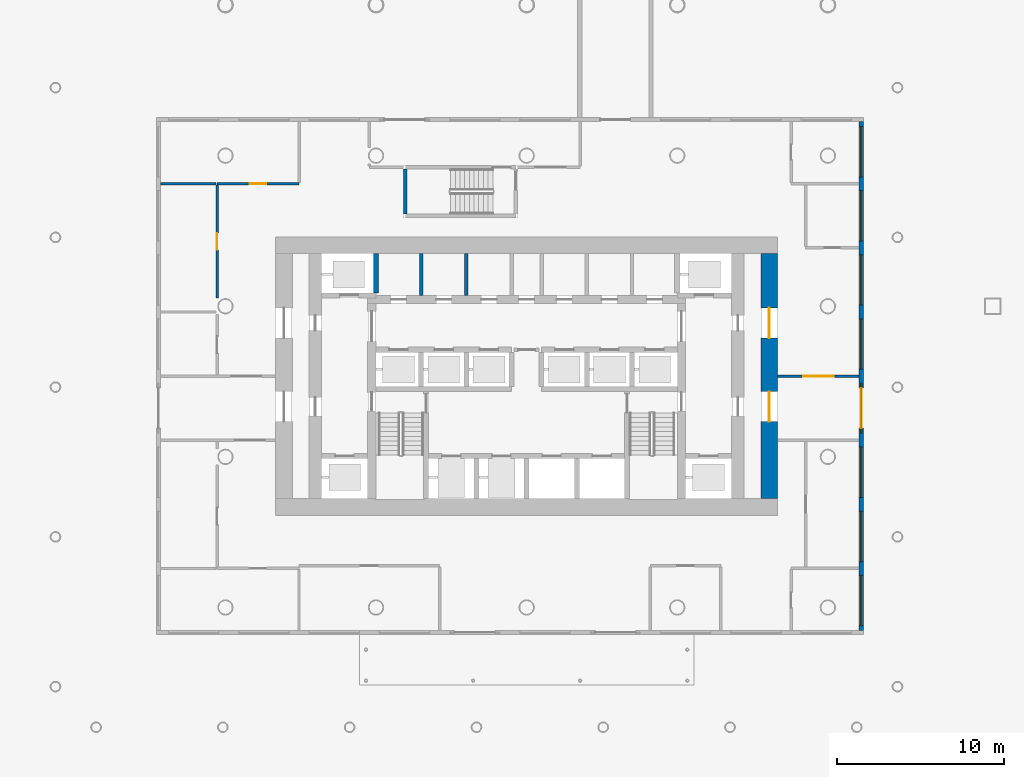
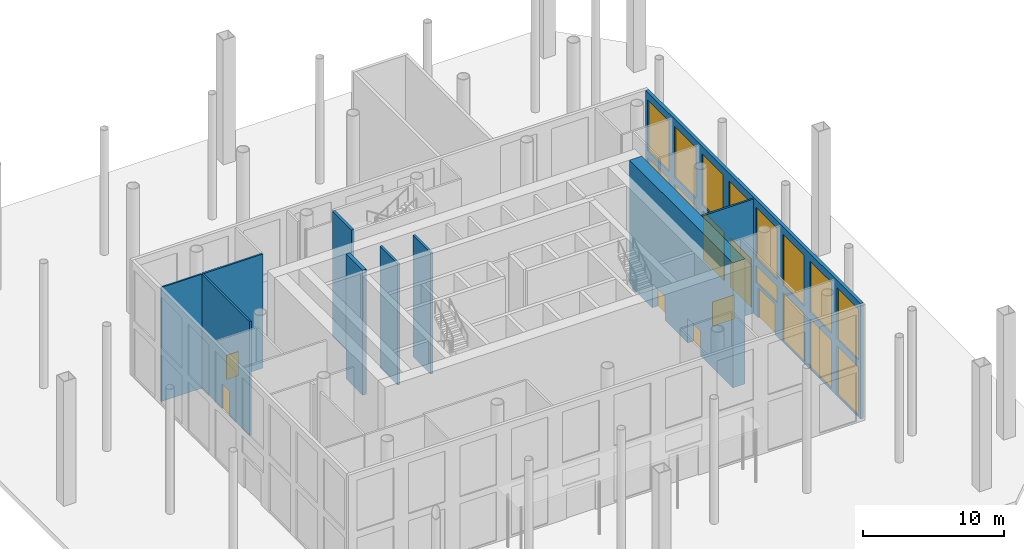
# One storey, part 12 of 18: 16 windows, 10 walls, 6 doors, 22 openings.
"""IFC4 building model written with IfcOpenShell, lengths in metres."""

import ifcopenshell
import ifcopenshell.guid

model = None  # the IFC model being written
_history = None  # IfcOwnerHistory: only IFC2X3 demands one
_inside = {}  # id of a spatial element -> (the spatial element, [elements in it])
_under = {}  # id of a project, library or spatial element -> (it, [spatial elements below it])
_declared = {}  # id of a project -> (the project, [libraries it declares])
_typed = {}  # id of a type object -> (the type object, [elements of that type])
_made_of = {}  # id of a material, layer set ... -> (it, [elements and type objects made of it])


def new_model(schema):
    """Start an empty IFC model of exactly this schema.

    Asked for "IFC4X3", IfcOpenShell would pick the latest addendum, in which some entities
    have other attributes; the version numbers below select the first issue.
    IFC2X3 requires an IfcOwnerHistory on every rooted entity: one is made here for all.
    """
    global model, _history
    if schema == "IFC4X3":
        model = ifcopenshell.file(schema_version=(4, 3, 0, 0))
    else:
        model = ifcopenshell.file(schema=schema)
    _inside.clear()
    _under.clear()
    _declared.clear()
    _typed.clear()
    _made_of.clear()
    _history = None
    if model.schema == "IFC2X3":
        org = make("IfcOrganization", Name="unknown")
        user = make(
            "IfcPersonAndOrganization",
            ThePerson=make("IfcPerson", FamilyName="unknown"),
            TheOrganization=org,
        )
        app = make(
            "IfcApplication",
            ApplicationDeveloper=org,
            Version="unknown",
            ApplicationFullName="unknown",
            ApplicationIdentifier="unknown",
        )
        _history = make(
            "IfcOwnerHistory",
            OwningUser=user,
            OwningApplication=app,
            ChangeAction="ADDED",
            CreationDate=0,
        )
    return model


def make(cls, **values):
    """One entity of the class cls with the attributes given. An attribute that is None is left unset."""
    return model.create_entity(
        cls, **{name: value for name, value in values.items() if value is not None}
    )


def rooted(cls, **values):
    """An entity with a GlobalId (a new one), such as an element, a storey or a relation."""
    return make(cls, GlobalId=ifcopenshell.guid.new(), OwnerHistory=_history, **values)


def si_unit(unit_type, name, prefix=None):
    """IfcSIUnit, for example si_unit("LENGTHUNIT", "METRE", prefix="MILLI")."""
    return make("IfcSIUnit", UnitType=unit_type, Prefix=prefix, Name=name)


def assignment(units):
    """IfcUnitAssignment: the units of a project."""
    return None if units is None else make("IfcUnitAssignment", Units=units)


def point(xyz):
    """IfcCartesianPoint."""
    return None if xyz is None else make("IfcCartesianPoint", Coordinates=xyz)


def direction(xyz):
    """IfcDirection."""
    return None if xyz is None else make("IfcDirection", DirectionRatios=xyz)


def frame(location, z_axis=None, x_axis=None):
    """IfcAxis2Placement3D, a coordinate frame: its origin and axes. An axis left out is left unset."""
    return make(
        "IfcAxis2Placement3D",
        Location=point(location),
        Axis=direction(z_axis),
        RefDirection=direction(x_axis),
    )


def frame_2d(location, x_axis=None):
    """IfcAxis2Placement2D, a coordinate frame in the plane: its origin and x axis."""
    return make(
        "IfcAxis2Placement2D", Location=point(location), RefDirection=direction(x_axis)
    )


def origin():
    """The frame at (0, 0, 0) with its axes left unset."""
    return frame((0.0, 0.0, 0.0))


def place(relative_to, where):
    """IfcLocalPlacement: puts the frame where relative to a parent placement (None: the world)."""
    return make(
        "IfcLocalPlacement", PlacementRelTo=relative_to, RelativePlacement=where
    )


def context(
    kind, dimensions, precision=None, world=None, true_north=None, identifier=None
):
    """IfcGeometricRepresentationContext, for example the 3D "Model" context."""
    return make(
        "IfcGeometricRepresentationContext",
        ContextIdentifier=identifier,
        ContextType=kind,
        CoordinateSpaceDimension=dimensions,
        Precision=precision,
        WorldCoordinateSystem=world,
        TrueNorth=true_north,
    )


def subcontext(parent, identifier, kind, view, scale=None):
    """IfcGeometricRepresentationSubContext, for example "Body" below "Model"."""
    return make(
        "IfcGeometricRepresentationSubContext",
        ContextIdentifier=identifier,
        ContextType=kind,
        ParentContext=parent,
        TargetScale=scale,
        TargetView=view,
    )


def project(units=None, contexts=None):
    """IfcProject with its units and contexts."""
    return rooted(
        "IfcProject",
        Name="project",
        RepresentationContexts=contexts,
        UnitsInContext=assignment(units),
    )


def spatial(cls, under=None, at=None, **own):
    """A site, building, storey or space (cls), placed at a placement, below another one or the project."""
    s = rooted(cls, ObjectPlacement=at, **own)
    if under is not None:
        _under.setdefault(under.id(), (under, []))[1].append(s)
    return s


def profile(cls, at=None, kind="AREA", **sizes):
    """A parametric profile (cls). Its sizes go by their IFC names, for example OverallWidth=200.0."""
    return make(cls, ProfileType=kind, Position=at, **sizes)


def rectangle(**sizes):
    """IfcRectangleProfileDef."""
    return profile("IfcRectangleProfileDef", **sizes)


def extrude(swept, where, along, depth):
    """IfcExtrudedAreaSolid: the profile swept, set in the frame where, extruded along a direction by depth."""
    return make(
        "IfcExtrudedAreaSolid",
        SweptArea=swept,
        Position=where,
        ExtrudedDirection=direction(along),
        Depth=depth,
    )


def shape(context_of_items, identifier, shape_type, items):
    """IfcShapeRepresentation: the items that make up one representation, for example the "Body"."""
    return make(
        "IfcShapeRepresentation",
        ContextOfItems=context_of_items,
        RepresentationIdentifier=identifier,
        RepresentationType=shape_type,
        Items=items,
    )


def material(Name=None, Category=None):
    """IfcMaterial."""
    return make("IfcMaterial", Name=Name, Category=Category)


def layer(
    of_material, thickness, ventilated=None, Name=None, Category=None, Priority=None
):
    """IfcMaterialLayer: one layer of a wall or slab, of a material (None: an air gap)."""
    return make(
        "IfcMaterialLayer",
        Material=of_material,
        LayerThickness=thickness,
        IsVentilated=ventilated,
        Name=Name,
        Category=Category,
        Priority=Priority,
    )


def layer_set(layers, Name=None):
    """IfcMaterialLayerSet."""
    return make("IfcMaterialLayerSet", MaterialLayers=layers, LayerSetName=Name)


def made_of(thing, what):
    """Note that an element or type object is made of a material, layer set ...; save() writes the relation."""
    if what is not None:
        _made_of.setdefault(what.id(), (what, []))[1].append(thing)
    return thing


def type_object(cls, material=None, **own):
    """A type object (cls), such as IfcWallType, which elements share."""
    return made_of(rooted(cls, **own), material)


def element(
    cls,
    number,
    at=None,
    inside=None,
    cuts=None,
    type_object=None,
    material=None,
    context=None,
    identifier="Body",
    shape_type=None,
    held_by="IfcProductDefinitionShape",
    body=None,
    shapes=None,
    **own,
):
    """One element of the class cls, such as IfcWall. Its Tag is "e" and its number.

    at: its placement. inside: the storey or other place that contains it. cuts: it is an
    opening in that element (IfcRelVoidsElement). A single representation is given by context,
    identifier, shape_type and body (its items); several are given by shapes. held_by: the class
    of the entity that holds the representations. save() writes the other relations.
    """
    e = rooted(cls, Tag="e%d" % number, ObjectPlacement=at, **own)
    if body is not None:
        shapes = [shape(context, identifier, shape_type, body)]
    if shapes is not None:
        e.Representation = make(held_by, Representations=shapes)
    if inside is not None:
        _inside.setdefault(inside.id(), (inside, []))[1].append(e)
    if cuts is not None:
        rooted(
            "IfcRelVoidsElement", RelatingBuildingElement=cuts, RelatedOpeningElement=e
        )
    if type_object is not None:
        _typed.setdefault(type_object.id(), (type_object, []))[1].append(e)
    return made_of(e, material)


def fill(opening, filler):
    """IfcRelFillsElement: the door or window that sits in an opening."""
    return rooted(
        "IfcRelFillsElement",
        RelatingOpeningElement=opening,
        RelatedBuildingElement=filler,
    )


def aggregate(whole, parts):
    """IfcRelAggregates: a whole, such as a stair, and the parts it consists of."""
    return rooted("IfcRelAggregates", RelatingObject=whole, RelatedObjects=parts)


def save(model, path):
    """Write the relations noted so far, then the file.

    IfcRelAggregates (storeys below a building ...), IfcRelContainedInSpatialStructure (elements
    in a storey), IfcRelDefinesByType, IfcRelAssociatesMaterial and IfcRelDeclares: one each for
    every whole, place, type object, material and project.
    """
    for whole, parts in _under.values():
        aggregate(whole, parts)
    for where, things in _inside.values():
        rooted(
            "IfcRelContainedInSpatialStructure",
            RelatedElements=things,
            RelatingStructure=where,
        )
    for kind, things in _typed.values():
        rooted("IfcRelDefinesByType", RelatedObjects=things, RelatingType=kind)
    for what, things in _made_of.values():
        rooted("IfcRelAssociatesMaterial", RelatedObjects=things, RelatingMaterial=what)
    for by, libraries in _declared.values():
        rooted("IfcRelDeclares", RelatingContext=by, RelatedDefinitions=libraries)
    model.write(path)


model = new_model("IFC4")

# Units and contexts
model_context = context("Model", 3, precision=1e-05, world=origin(), true_north=direction((0.0, 1.0)))
body_context = subcontext(model_context, "Body", "Model", "MODEL_VIEW")
ifc_project = project(units=[si_unit("LENGTHUNIT", "METRE"), si_unit("AREAUNIT", "SQUARE_METRE"), si_unit("VOLUMEUNIT", "CUBIC_METRE"), si_unit("PLANEANGLEUNIT", "RADIAN"), si_unit("MASSUNIT", "GRAM", prefix="KILO")], contexts=[model_context])

# Site, building, storey
site_placement = place(None, origin())
site = spatial("IfcSite", under=ifc_project, at=site_placement, CompositionType="ELEMENT")
building_placement = place(site_placement, origin())
building = spatial("IfcBuilding", under=site, at=building_placement, Name="Tskaro Facet Tower", CompositionType="ELEMENT")
storey_placement = place(building_placement, origin())
storey = spatial("IfcBuildingStorey", under=building, at=storey_placement, Name="L00", CompositionType="ELEMENT", Elevation=0.0)

# Walls
ifc_material_1 = material(Name="Concrete C60/75", Category="concrete")
ifc_layer_1 = layer(ifc_material_1, 0.300048828125, Name="Concrete C60/75")
ifc_layer_set_1 = layer_set([ifc_layer_1], Name="Concrete C60/75")
wall_type_1 = type_object("IfcWallType", Name="CORE-SHAFT", PredefinedType="SHEAR", material=ifc_layer_set_1)
wall_1_placement = place(storey_placement, frame((-9.0, 0.800048828125, 0.0), z_axis=(0.0, 0.0, 1.0), x_axis=(0.0, 1.0, 0.0)))
element("IfcWall", 1, at=wall_1_placement, inside=storey, type_object=wall_type_1, Name="Shaft wall W037", PredefinedType="SHEAR", context=body_context, shape_type="SweptSolid", body=[
    extrude(rectangle(XDim=2.349853515625, YDim=0.300048828125, at=frame_2d((1.1748046875, 0.0))), origin(), (0.0, 0.0, 1.0), 10.800048828125),
])
ifc_material_2 = material(Name="Concrete C20/25", Category="concrete")
ifc_layer_2 = layer(ifc_material_2, 0.199951171875, Name="Concrete C20/25")
ifc_layer_set_2 = layer_set([ifc_layer_2], Name="Concrete C20/25")
wall_type_2 = type_object("IfcWallType", Name="CORE-WALL", PredefinedType="SOLIDWALL", material=ifc_layer_set_2)
for number, where, z_axis, x_axis, name in (
    (2, (-6.300048828125, 0.64990234375, 0.0), (0.0, 0.0, 1.0), (0.0, 1.0, 0.0), "Core room wall W040"),
    (3, (-3.60009765625, 0.64990234375, 0.0), (0.0, 0.0, 1.0), (0.0, 1.0, 0.0), "Core room wall W044"),
):
    element("IfcWall", number, at=place(storey_placement, frame(where, z_axis=z_axis, x_axis=x_axis)), inside=storey, type_object=wall_type_2, Name=name, PredefinedType="SOLIDWALL", context=body_context, shape_type="SweptSolid", body=[
        extrude(rectangle(XDim=2.5, YDim=0.199951171875, at=frame_2d((1.25, 0.0))), origin(), (0.0, 0.0, 1.0), 10.5),
    ])

# Wall, openings, windows, door
ifc_material_3 = material(Name="Bronze anodised aluminium cladding 5005-H34", Category="aluminium")
ifc_layer_3 = layer(ifc_material_3, 0.25, Name="Bronze anodised aluminium cladding 5005-H34")
ifc_layer_set_3 = layer_set([ifc_layer_3], Name="Bronze anodised aluminium cladding 5005-H34")
wall_type_3 = type_object("IfcWallType", Name="Concourse frame wall", PredefinedType="STANDARD", material=ifc_layer_set_3)
wall_2_placement = place(storey_placement, frame((20.0, -19.375, 0.0), z_axis=(0.0, 0.0, 1.0), x_axis=(0.0, 1.0, 0.0)))
wall_2 = element("IfcWall", 4, at=wall_2_placement, inside=storey, type_object=wall_type_3, Name="Concourse wall east", PredefinedType="STANDARD", context=body_context, shape_type="SweptSolid", body=[
    extrude(rectangle(XDim=30.39990234375, YDim=0.25, at=frame_2d((15.199951171875, 0.0))), origin(), (0.0, 0.0, 1.0), 10.0),
])
opening_1_placement = place(wall_2_placement, frame((0.29052734375, 0.0, 0.14990234375)))
opening_1 = element("IfcOpeningElement", 5, at=opening_1_placement, cuts=wall_2, Name="Opening GW1", PredefinedType="OPENING", context=body_context, shape_type="SweptSolid", body=[
    extrude(rectangle(XDim=3.0, YDim=4.199951171875, at=frame_2d((1.5, 2.10009765625))), frame((0.0, 0.135009765625, 0.0), z_axis=(0.0, -1.0, 0.0), x_axis=(1.0, 0.0, 0.0)), (0.0, 0.0, 1.0), 0.27001953125),
])
opening_2_placement = place(wall_2_placement, frame((0.29052734375, 0.0, 4.949951171875)))
opening_2 = element("IfcOpeningElement", 6, at=opening_2_placement, cuts=wall_2, Name="Opening GW2", PredefinedType="OPENING", context=body_context, shape_type="SweptSolid", body=[
    extrude(rectangle(XDim=3.0, YDim=4.39990234375, at=frame_2d((1.5, 2.199951171875))), frame((0.0, 0.135009765625, 0.0), z_axis=(0.0, -1.0, 0.0), x_axis=(1.0, 0.0, 0.0)), (0.0, 0.0, 1.0), 0.27001953125),
])
opening_3_placement = place(wall_2_placement, frame((4.121826171875, 0.0, 0.14990234375)))
opening_3 = element("IfcOpeningElement", 7, at=opening_3_placement, cuts=wall_2, Name="Opening GW1", PredefinedType="OPENING", context=body_context, shape_type="SweptSolid", body=[
    extrude(rectangle(XDim=3.0, YDim=4.199951171875, at=frame_2d((1.5, 2.10009765625))), frame((0.0, 0.135009765625, 0.0), z_axis=(0.0, -1.0, 0.0), x_axis=(1.0, 0.0, 0.0)), (0.0, 0.0, 1.0), 0.27001953125),
])
opening_4_placement = place(wall_2_placement, frame((4.121826171875, 0.0, 4.949951171875)))
opening_4 = element("IfcOpeningElement", 8, at=opening_4_placement, cuts=wall_2, Name="Opening GW2", PredefinedType="OPENING", context=body_context, shape_type="SweptSolid", body=[
    extrude(rectangle(XDim=3.0, YDim=4.39990234375, at=frame_2d((1.5, 2.199951171875))), frame((0.0, 0.135009765625, 0.0), z_axis=(0.0, -1.0, 0.0), x_axis=(1.0, 0.0, 0.0)), (0.0, 0.0, 1.0), 0.27001953125),
])
opening_5_placement = place(wall_2_placement, frame((7.953125, 0.0, 0.14990234375)))
opening_5 = element("IfcOpeningElement", 9, at=opening_5_placement, cuts=wall_2, Name="Opening GW1", PredefinedType="OPENING", context=body_context, shape_type="SweptSolid", body=[
    extrude(rectangle(XDim=3.0, YDim=4.199951171875, at=frame_2d((1.5, 2.10009765625))), frame((0.0, 0.135009765625, 0.0), z_axis=(0.0, -1.0, 0.0), x_axis=(1.0, 0.0, 0.0)), (0.0, 0.0, 1.0), 0.27001953125),
])
opening_6_placement = place(wall_2_placement, frame((7.953125, 0.0, 4.949951171875)))
opening_6 = element("IfcOpeningElement", 10, at=opening_6_placement, cuts=wall_2, Name="Opening GW2", PredefinedType="OPENING", context=body_context, shape_type="SweptSolid", body=[
    extrude(rectangle(XDim=3.0, YDim=4.39990234375, at=frame_2d((1.5, 2.199951171875))), frame((0.0, 0.135009765625, 0.0), z_axis=(0.0, -1.0, 0.0), x_axis=(1.0, 0.0, 0.0)), (0.0, 0.0, 1.0), 0.27001953125),
])
opening_7_placement = place(wall_2_placement, frame((12.08447265625, 0.0, 0.0)))
opening_7 = element("IfcOpeningElement", 11, at=opening_7_placement, cuts=wall_2, Name="Opening E03", PredefinedType="OPENING", context=body_context, shape_type="SweptSolid", body=[
    extrude(rectangle(XDim=2.39990234375, YDim=2.60009765625, at=frame_2d((1.199951171875, 1.300048828125))), frame((0.0, 0.135009765625, 0.0), z_axis=(0.0, -1.0, 0.0), x_axis=(1.0, 0.0, 0.0)), (0.0, 0.0, 1.0), 0.27001953125),
])
opening_8_placement = place(wall_2_placement, frame((11.784423828125, 0.0, 2.89990234375)))
opening_8 = element("IfcOpeningElement", 12, at=opening_8_placement, cuts=wall_2, Name="Opening GW3", PredefinedType="OPENING", context=body_context, shape_type="SweptSolid", body=[
    extrude(rectangle(XDim=3.0, YDim=1.449951171875, at=frame_2d((1.5, 0.72509765625))), frame((0.0, 0.135009765625, 0.0), z_axis=(0.0, -1.0, 0.0), x_axis=(1.0, 0.0, 0.0)), (0.0, 0.0, 1.0), 0.27001953125),
])
opening_9_placement = place(wall_2_placement, frame((11.784423828125, 0.0, 4.949951171875)))
opening_9 = element("IfcOpeningElement", 13, at=opening_9_placement, cuts=wall_2, Name="Opening GW2", PredefinedType="OPENING", context=body_context, shape_type="SweptSolid", body=[
    extrude(rectangle(XDim=3.0, YDim=4.39990234375, at=frame_2d((1.5, 2.199951171875))), frame((0.0, 0.135009765625, 0.0), z_axis=(0.0, -1.0, 0.0), x_axis=(1.0, 0.0, 0.0)), (0.0, 0.0, 1.0), 0.27001953125),
])
opening_10_placement = place(wall_2_placement, frame((15.61572265625, 0.0, 0.14990234375)))
opening_10 = element("IfcOpeningElement", 14, at=opening_10_placement, cuts=wall_2, Name="Opening GW1", PredefinedType="OPENING", context=body_context, shape_type="SweptSolid", body=[
    extrude(rectangle(XDim=3.0, YDim=4.199951171875, at=frame_2d((1.5, 2.10009765625))), frame((0.0, 0.135009765625, 0.0), z_axis=(0.0, -1.0, 0.0), x_axis=(1.0, 0.0, 0.0)), (0.0, 0.0, 1.0), 0.27001953125),
])
opening_11_placement = place(wall_2_placement, frame((15.61572265625, 0.0, 4.949951171875)))
opening_11 = element("IfcOpeningElement", 15, at=opening_11_placement, cuts=wall_2, Name="Opening GW2", PredefinedType="OPENING", context=body_context, shape_type="SweptSolid", body=[
    extrude(rectangle(XDim=3.0, YDim=4.39990234375, at=frame_2d((1.5, 2.199951171875))), frame((0.0, 0.135009765625, 0.0), z_axis=(0.0, -1.0, 0.0), x_axis=(1.0, 0.0, 0.0)), (0.0, 0.0, 1.0), 0.27001953125),
])
opening_12_placement = place(wall_2_placement, frame((19.44677734375, 0.0, 0.14990234375)))
opening_12 = element("IfcOpeningElement", 16, at=opening_12_placement, cuts=wall_2, Name="Opening GW1", PredefinedType="OPENING", context=body_context, shape_type="SweptSolid", body=[
    extrude(rectangle(XDim=3.0, YDim=4.199951171875, at=frame_2d((1.5, 2.10009765625))), frame((0.0, 0.135009765625, 0.0), z_axis=(0.0, -1.0, 0.0), x_axis=(1.0, 0.0, 0.0)), (0.0, 0.0, 1.0), 0.27001953125),
])
opening_13_placement = place(wall_2_placement, frame((19.44677734375, 0.0, 4.949951171875)))
opening_13 = element("IfcOpeningElement", 17, at=opening_13_placement, cuts=wall_2, Name="Opening GW2", PredefinedType="OPENING", context=body_context, shape_type="SweptSolid", body=[
    extrude(rectangle(XDim=3.0, YDim=4.39990234375, at=frame_2d((1.5, 2.199951171875))), frame((0.0, 0.135009765625, 0.0), z_axis=(0.0, -1.0, 0.0), x_axis=(1.0, 0.0, 0.0)), (0.0, 0.0, 1.0), 0.27001953125),
])
opening_14_placement = place(wall_2_placement, frame((23.278076171875, 0.0, 0.14990234375)))
opening_14 = element("IfcOpeningElement", 18, at=opening_14_placement, cuts=wall_2, Name="Opening GW1", PredefinedType="OPENING", context=body_context, shape_type="SweptSolid", body=[
    extrude(rectangle(XDim=3.0, YDim=4.199951171875, at=frame_2d((1.5, 2.10009765625))), frame((0.0, 0.135009765625, 0.0), z_axis=(0.0, -1.0, 0.0), x_axis=(1.0, 0.0, 0.0)), (0.0, 0.0, 1.0), 0.27001953125),
])
opening_15_placement = place(wall_2_placement, frame((23.278076171875, 0.0, 4.949951171875)))
opening_15 = element("IfcOpeningElement", 19, at=opening_15_placement, cuts=wall_2, Name="Opening GW2", PredefinedType="OPENING", context=body_context, shape_type="SweptSolid", body=[
    extrude(rectangle(XDim=3.0, YDim=4.39990234375, at=frame_2d((1.5, 2.199951171875))), frame((0.0, 0.135009765625, 0.0), z_axis=(0.0, -1.0, 0.0), x_axis=(1.0, 0.0, 0.0)), (0.0, 0.0, 1.0), 0.27001953125),
])
opening_16_placement = place(wall_2_placement, frame((27.109375, 0.0, 0.14990234375)))
opening_16 = element("IfcOpeningElement", 20, at=opening_16_placement, cuts=wall_2, Name="Opening GW1", PredefinedType="OPENING", context=body_context, shape_type="SweptSolid", body=[
    extrude(rectangle(XDim=3.0, YDim=4.199951171875, at=frame_2d((1.5, 2.10009765625))), frame((0.0, 0.135009765625, 0.0), z_axis=(0.0, -1.0, 0.0), x_axis=(1.0, 0.0, 0.0)), (0.0, 0.0, 1.0), 0.27001953125),
])
opening_17_placement = place(wall_2_placement, frame((27.109375, 0.0, 4.949951171875)))
opening_17 = element("IfcOpeningElement", 21, at=opening_17_placement, cuts=wall_2, Name="Opening GW2", PredefinedType="OPENING", context=body_context, shape_type="SweptSolid", body=[
    extrude(rectangle(XDim=3.0, YDim=4.39990234375, at=frame_2d((1.5, 2.199951171875))), frame((0.0, 0.135009765625, 0.0), z_axis=(0.0, -1.0, 0.0), x_axis=(1.0, 0.0, 0.0)), (0.0, 0.0, 1.0), 0.27001953125),
])
ifc_material_4 = material(Name="Bronze tinted glass", Category="glass")
window_type_1 = type_object("IfcWindowType", Name="Concourse transom light 3000x1450", PartitioningType="SINGLE_PANEL", PredefinedType="WINDOW", material=ifc_material_4)
window_1_placement = place(opening_8_placement, origin())
window_1 = element("IfcWindow", 22, at=window_1_placement, inside=storey, type_object=window_type_1, Name="Concourse transom light east 4", OverallHeight=1.449951171875, OverallWidth=3.0, PartitioningType="SINGLE_PANEL", PredefinedType="WINDOW", context=body_context, shape_type="SweptSolid", body=[
    extrude(rectangle(XDim=3.0, YDim=1.449951171875, at=frame_2d((1.5, 0.72509765625))), frame((0.0, 0.030029296875, 0.0), z_axis=(0.0, -1.0, 0.0), x_axis=(1.0, 0.0, 0.0)), (0.0, 0.0, 1.0), 0.06005859375),
])
fill(opening_8, window_1)
window_type_2 = type_object("IfcWindowType", Name="Concourse window 3000x4200", PartitioningType="DOUBLE_PANEL_HORIZONTAL", PredefinedType="WINDOW", material=ifc_material_4)
window_2_placement = place(opening_1_placement, origin())
window_2 = element("IfcWindow", 23, at=window_2_placement, inside=storey, type_object=window_type_2, Name="Concourse window east 1 lower", OverallHeight=4.199951171875, OverallWidth=3.0, PartitioningType="DOUBLE_PANEL_HORIZONTAL", PredefinedType="WINDOW", context=body_context, shape_type="SweptSolid", body=[
    extrude(rectangle(XDim=3.0, YDim=4.199951171875, at=frame_2d((1.5, 2.10009765625))), frame((0.0, 0.030029296875, 0.0), z_axis=(0.0, -1.0, 0.0), x_axis=(1.0, 0.0, 0.0)), (0.0, 0.0, 1.0), 0.06005859375),
])
fill(opening_1, window_2)
window_3_placement = place(opening_3_placement, origin())
window_3 = element("IfcWindow", 24, at=window_3_placement, inside=storey, type_object=window_type_2, Name="Concourse window east 2 lower", OverallHeight=4.199951171875, OverallWidth=3.0, PartitioningType="DOUBLE_PANEL_HORIZONTAL", PredefinedType="WINDOW", context=body_context, shape_type="SweptSolid", body=[
    extrude(rectangle(XDim=3.0, YDim=4.199951171875, at=frame_2d((1.5, 2.10009765625))), frame((0.0, 0.030029296875, 0.0), z_axis=(0.0, -1.0, 0.0), x_axis=(1.0, 0.0, 0.0)), (0.0, 0.0, 1.0), 0.06005859375),
])
fill(opening_3, window_3)
window_4_placement = place(opening_5_placement, origin())
window_4 = element("IfcWindow", 25, at=window_4_placement, inside=storey, type_object=window_type_2, Name="Concourse window east 3 lower", OverallHeight=4.199951171875, OverallWidth=3.0, PartitioningType="DOUBLE_PANEL_HORIZONTAL", PredefinedType="WINDOW", context=body_context, shape_type="SweptSolid", body=[
    extrude(rectangle(XDim=3.0, YDim=4.199951171875, at=frame_2d((1.5, 2.10009765625))), frame((0.0, 0.030029296875, 0.0), z_axis=(0.0, -1.0, 0.0), x_axis=(1.0, 0.0, 0.0)), (0.0, 0.0, 1.0), 0.06005859375),
])
fill(opening_5, window_4)
window_5_placement = place(opening_10_placement, origin())
window_5 = element("IfcWindow", 26, at=window_5_placement, inside=storey, type_object=window_type_2, Name="Concourse window east 5 lower", OverallHeight=4.199951171875, OverallWidth=3.0, PartitioningType="DOUBLE_PANEL_HORIZONTAL", PredefinedType="WINDOW", context=body_context, shape_type="SweptSolid", body=[
    extrude(rectangle(XDim=3.0, YDim=4.199951171875, at=frame_2d((1.5, 2.10009765625))), frame((0.0, 0.030029296875, 0.0), z_axis=(0.0, -1.0, 0.0), x_axis=(1.0, 0.0, 0.0)), (0.0, 0.0, 1.0), 0.06005859375),
])
fill(opening_10, window_5)
window_6_placement = place(opening_12_placement, origin())
window_6 = element("IfcWindow", 27, at=window_6_placement, inside=storey, type_object=window_type_2, Name="Concourse window east 6 lower", OverallHeight=4.199951171875, OverallWidth=3.0, PartitioningType="DOUBLE_PANEL_HORIZONTAL", PredefinedType="WINDOW", context=body_context, shape_type="SweptSolid", body=[
    extrude(rectangle(XDim=3.0, YDim=4.199951171875, at=frame_2d((1.5, 2.10009765625))), frame((0.0, 0.030029296875, 0.0), z_axis=(0.0, -1.0, 0.0), x_axis=(1.0, 0.0, 0.0)), (0.0, 0.0, 1.0), 0.06005859375),
])
fill(opening_12, window_6)
window_7_placement = place(opening_14_placement, origin())
window_7 = element("IfcWindow", 28, at=window_7_placement, inside=storey, type_object=window_type_2, Name="Concourse window east 7 lower", OverallHeight=4.199951171875, OverallWidth=3.0, PartitioningType="DOUBLE_PANEL_HORIZONTAL", PredefinedType="WINDOW", context=body_context, shape_type="SweptSolid", body=[
    extrude(rectangle(XDim=3.0, YDim=4.199951171875, at=frame_2d((1.5, 2.10009765625))), frame((0.0, 0.030029296875, 0.0), z_axis=(0.0, -1.0, 0.0), x_axis=(1.0, 0.0, 0.0)), (0.0, 0.0, 1.0), 0.06005859375),
])
fill(opening_14, window_7)
window_8_placement = place(opening_16_placement, origin())
window_8 = element("IfcWindow", 29, at=window_8_placement, inside=storey, type_object=window_type_2, Name="Concourse window east 8 lower", OverallHeight=4.199951171875, OverallWidth=3.0, PartitioningType="DOUBLE_PANEL_HORIZONTAL", PredefinedType="WINDOW", context=body_context, shape_type="SweptSolid", body=[
    extrude(rectangle(XDim=3.0, YDim=4.199951171875, at=frame_2d((1.5, 2.10009765625))), frame((0.0, 0.030029296875, 0.0), z_axis=(0.0, -1.0, 0.0), x_axis=(1.0, 0.0, 0.0)), (0.0, 0.0, 1.0), 0.06005859375),
])
fill(opening_16, window_8)
window_type_3 = type_object("IfcWindowType", Name="Concourse window 3000x4400", PartitioningType="DOUBLE_PANEL_HORIZONTAL", PredefinedType="WINDOW", material=ifc_material_4)
window_9_placement = place(opening_2_placement, origin())
window_9 = element("IfcWindow", 30, at=window_9_placement, inside=storey, type_object=window_type_3, Name="Concourse window east 1 upper", OverallHeight=4.39990234375, OverallWidth=3.0, PartitioningType="DOUBLE_PANEL_HORIZONTAL", PredefinedType="WINDOW", context=body_context, shape_type="SweptSolid", body=[
    extrude(rectangle(XDim=3.0, YDim=4.39990234375, at=frame_2d((1.5, 2.199951171875))), frame((0.0, 0.030029296875, 0.0), z_axis=(0.0, -1.0, 0.0), x_axis=(1.0, 0.0, 0.0)), (0.0, 0.0, 1.0), 0.06005859375),
])
fill(opening_2, window_9)
window_10_placement = place(opening_4_placement, origin())
window_10 = element("IfcWindow", 31, at=window_10_placement, inside=storey, type_object=window_type_3, Name="Concourse window east 2 upper", OverallHeight=4.39990234375, OverallWidth=3.0, PartitioningType="DOUBLE_PANEL_HORIZONTAL", PredefinedType="WINDOW", context=body_context, shape_type="SweptSolid", body=[
    extrude(rectangle(XDim=3.0, YDim=4.39990234375, at=frame_2d((1.5, 2.199951171875))), frame((0.0, 0.030029296875, 0.0), z_axis=(0.0, -1.0, 0.0), x_axis=(1.0, 0.0, 0.0)), (0.0, 0.0, 1.0), 0.06005859375),
])
fill(opening_4, window_10)
window_11_placement = place(opening_6_placement, origin())
window_11 = element("IfcWindow", 32, at=window_11_placement, inside=storey, type_object=window_type_3, Name="Concourse window east 3 upper", OverallHeight=4.39990234375, OverallWidth=3.0, PartitioningType="DOUBLE_PANEL_HORIZONTAL", PredefinedType="WINDOW", context=body_context, shape_type="SweptSolid", body=[
    extrude(rectangle(XDim=3.0, YDim=4.39990234375, at=frame_2d((1.5, 2.199951171875))), frame((0.0, 0.030029296875, 0.0), z_axis=(0.0, -1.0, 0.0), x_axis=(1.0, 0.0, 0.0)), (0.0, 0.0, 1.0), 0.06005859375),
])
fill(opening_6, window_11)
window_12_placement = place(opening_9_placement, origin())
window_12 = element("IfcWindow", 33, at=window_12_placement, inside=storey, type_object=window_type_3, Name="Concourse window east 4 upper", OverallHeight=4.39990234375, OverallWidth=3.0, PartitioningType="DOUBLE_PANEL_HORIZONTAL", PredefinedType="WINDOW", context=body_context, shape_type="SweptSolid", body=[
    extrude(rectangle(XDim=3.0, YDim=4.39990234375, at=frame_2d((1.5, 2.199951171875))), frame((0.0, 0.030029296875, 0.0), z_axis=(0.0, -1.0, 0.0), x_axis=(1.0, 0.0, 0.0)), (0.0, 0.0, 1.0), 0.06005859375),
])
fill(opening_9, window_12)
window_13_placement = place(opening_11_placement, origin())
window_13 = element("IfcWindow", 34, at=window_13_placement, inside=storey, type_object=window_type_3, Name="Concourse window east 5 upper", OverallHeight=4.39990234375, OverallWidth=3.0, PartitioningType="DOUBLE_PANEL_HORIZONTAL", PredefinedType="WINDOW", context=body_context, shape_type="SweptSolid", body=[
    extrude(rectangle(XDim=3.0, YDim=4.39990234375, at=frame_2d((1.5, 2.199951171875))), frame((0.0, 0.030029296875, 0.0), z_axis=(0.0, -1.0, 0.0), x_axis=(1.0, 0.0, 0.0)), (0.0, 0.0, 1.0), 0.06005859375),
])
fill(opening_11, window_13)
window_14_placement = place(opening_13_placement, origin())
window_14 = element("IfcWindow", 35, at=window_14_placement, inside=storey, type_object=window_type_3, Name="Concourse window east 6 upper", OverallHeight=4.39990234375, OverallWidth=3.0, PartitioningType="DOUBLE_PANEL_HORIZONTAL", PredefinedType="WINDOW", context=body_context, shape_type="SweptSolid", body=[
    extrude(rectangle(XDim=3.0, YDim=4.39990234375, at=frame_2d((1.5, 2.199951171875))), frame((0.0, 0.030029296875, 0.0), z_axis=(0.0, -1.0, 0.0), x_axis=(1.0, 0.0, 0.0)), (0.0, 0.0, 1.0), 0.06005859375),
])
fill(opening_13, window_14)
window_15_placement = place(opening_15_placement, origin())
window_15 = element("IfcWindow", 36, at=window_15_placement, inside=storey, type_object=window_type_3, Name="Concourse window east 7 upper", OverallHeight=4.39990234375, OverallWidth=3.0, PartitioningType="DOUBLE_PANEL_HORIZONTAL", PredefinedType="WINDOW", context=body_context, shape_type="SweptSolid", body=[
    extrude(rectangle(XDim=3.0, YDim=4.39990234375, at=frame_2d((1.5, 2.199951171875))), frame((0.0, 0.030029296875, 0.0), z_axis=(0.0, -1.0, 0.0), x_axis=(1.0, 0.0, 0.0)), (0.0, 0.0, 1.0), 0.06005859375),
])
fill(opening_15, window_15)
window_16_placement = place(opening_17_placement, origin())
window_16 = element("IfcWindow", 37, at=window_16_placement, inside=storey, type_object=window_type_3, Name="Concourse window east 8 upper", OverallHeight=4.39990234375, OverallWidth=3.0, PartitioningType="DOUBLE_PANEL_HORIZONTAL", PredefinedType="WINDOW", context=body_context, shape_type="SweptSolid", body=[
    extrude(rectangle(XDim=3.0, YDim=4.39990234375, at=frame_2d((1.5, 2.199951171875))), frame((0.0, 0.030029296875, 0.0), z_axis=(0.0, -1.0, 0.0), x_axis=(1.0, 0.0, 0.0)), (0.0, 0.0, 1.0), 0.06005859375),
])
fill(opening_17, window_16)
ifc_material_5 = material(Name="Bronze anodised aluminium 6063-T6 and glass", Category="aluminium")
door_type_1 = type_object("IfcDoorType", Name="Sliding entrance door 2400x2600", OperationType="DOUBLE_DOOR_SLIDING", PredefinedType="DOOR", material=ifc_material_5)
door_1_placement = place(opening_7_placement, origin())
door_1 = element("IfcDoor", 38, at=door_1_placement, inside=storey, type_object=door_type_1, Name="Entrance door east 4", OperationType="DOUBLE_DOOR_SLIDING", OverallHeight=2.60009765625, OverallWidth=2.39990234375, PredefinedType="DOOR", context=body_context, shape_type="SweptSolid", body=[
    extrude(rectangle(XDim=2.39990234375, YDim=2.60009765625, at=frame_2d((1.199951171875, 1.300048828125))), frame((0.0, 0.02490234375, 0.0), z_axis=(0.0, -1.0, 0.0), x_axis=(1.0, 0.0, 0.0)), (0.0, 0.0, 1.0), 0.050048828125),
])
fill(opening_7, door_1)

# Wall, openings, doors
ifc_layer_4 = layer(ifc_material_1, 1.0, Name="Concrete C60/75")
ifc_layer_set_4 = layer_set([ifc_layer_4], Name="Concrete C60/75")
wall_type_4 = type_object("IfcWallType", Name="Core wall 1000", PredefinedType="SHEAR", material=ifc_layer_set_4)
wall_3_placement = place(storey_placement, frame((14.5, -11.5, 0.0), z_axis=(0.0, 0.0, 1.0), x_axis=(0.0, 1.0, 0.0)))
wall_3 = element("IfcWall", 39, at=wall_3_placement, inside=storey, type_object=wall_type_4, Name="Core wall CW-Z1E", PredefinedType="SHEAR", context=body_context, shape_type="SweptSolid", body=[
    extrude(rectangle(XDim=14.64990234375, YDim=1.0, at=frame_2d((7.324951171875, 0.0))), origin(), (0.0, 0.0, 1.0), 10.800048828125),
])
opening_18_placement = place(wall_3_placement, frame((9.60009765625, 0.0, 0.0)))
opening_18 = element("IfcOpeningElement", 40, at=opening_18_placement, cuts=wall_3, Name="Opening G-D13", PredefinedType="OPENING", context=body_context, shape_type="SweptSolid", body=[
    extrude(rectangle(XDim=1.800048828125, YDim=2.10009765625, at=frame_2d((0.89990234375, 1.050048828125))), frame((0.0, 0.510009765625, 0.0), z_axis=(0.0, -1.0, 0.0), x_axis=(1.0, 0.0, 0.0)), (0.0, 0.0, 1.0), 1.02001953125),
])
opening_19_placement = place(wall_3_placement, frame((4.60009765625, 0.0, 0.0)))
opening_19 = element("IfcOpeningElement", 41, at=opening_19_placement, cuts=wall_3, Name="Opening XP-E", PredefinedType="OPENING", context=body_context, shape_type="SweptSolid", body=[
    extrude(rectangle(XDim=1.800048828125, YDim=2.10009765625, at=frame_2d((0.89990234375, 1.050048828125))), frame((0.0, 0.510009765625, 0.0), z_axis=(0.0, -1.0, 0.0), x_axis=(1.0, 0.0, 0.0)), (0.0, 0.0, 1.0), 1.02001953125),
])
ifc_material_6 = material(Name="Steel", Category="steel")
door_type_2 = type_object("IfcDoorType", Name="D-CORE-PAIR", OperationType="NOTDEFINED", PredefinedType="DOOR", material=ifc_material_6)
door_2_placement = place(opening_18_placement, origin())
door_2 = element("IfcDoor", 42, at=door_2_placement, inside=storey, type_object=door_type_2, Name="Door G-D13", OperationType="DOUBLE_DOOR_SINGLE_SWING", OverallHeight=2.10009765625, OverallWidth=1.800048828125, PredefinedType="DOOR", context=body_context, shape_type="SweptSolid", body=[
    extrude(rectangle(XDim=1.800048828125, YDim=2.10009765625, at=frame_2d((0.89990234375, 1.050048828125))), frame((0.0, 0.02490234375, 0.0), z_axis=(0.0, -1.0, 0.0), x_axis=(1.0, 0.0, 0.0)), (0.0, 0.0, 1.0), 0.050048828125),
])
fill(opening_18, door_2)
door_3_placement = place(opening_19_placement, origin())
door_3 = element("IfcDoor", 43, at=door_3_placement, inside=storey, type_object=door_type_2, Name="Exit passage door east", OperationType="DOUBLE_DOOR_SINGLE_SWING", OverallHeight=2.10009765625, OverallWidth=1.800048828125, PredefinedType="DOOR", context=body_context, shape_type="SweptSolid", body=[
    extrude(rectangle(XDim=1.800048828125, YDim=2.10009765625, at=frame_2d((0.89990234375, 1.050048828125))), frame((0.0, 0.02490234375, 0.0), z_axis=(0.0, -1.0, 0.0), x_axis=(1.0, 0.0, 0.0)), (0.0, 0.0, 1.0), 0.050048828125),
])
fill(opening_19, door_3)

# Wall
ifc_material_7 = material(Name="Gypsum board on steel studs", Category="steel")
ifc_layer_5 = layer(ifc_material_7, 0.125, Name="Gypsum board on steel studs")
ifc_layer_set_5 = layer_set([ifc_layer_5], Name="Gypsum board on steel studs")
wall_type_5 = type_object("IfcWallType", Name="PART", PredefinedType="PARTITIONING", material=ifc_layer_set_5)
wall_4_placement = place(storey_placement, frame((-21.875, 7.319091796875, 0.0), z_axis=(0.0, 0.0, 1.0), x_axis=(1.0, 0.0, 0.0)))
element("IfcWall", 44, at=wall_4_placement, inside=storey, type_object=wall_type_5, Name="Partition W023", PredefinedType="PARTITIONING", context=body_context, shape_type="SweptSolid", body=[
    extrude(rectangle(XDim=3.300048828125, YDim=0.125, at=frame_2d((1.64990234375, 0.0))), origin(), (0.0, 0.0, 1.0), 9.860107421875),
])

# Wall, opening, door
ifc_layer_6 = layer(ifc_material_7, 0.14990234375, Name="Gypsum board on steel studs")
ifc_layer_set_6 = layer_set([ifc_layer_6], Name="Gypsum board on steel studs")
wall_type_6 = type_object("IfcWallType", Name="PART-CORR", PredefinedType="PARTITIONING", material=ifc_layer_set_6)
wall_5_placement = place(storey_placement, frame((15.0, -4.175048828125, 0.0), z_axis=(0.0, 0.0, 1.0), x_axis=(1.0, 0.0, 0.0)))
wall_5 = element("IfcWall", 45, at=wall_5_placement, inside=storey, type_object=wall_type_6, Name="Corridor wall W014", PredefinedType="PARTITIONING", context=body_context, shape_type="SweptSolid", body=[
    extrude(rectangle(XDim=4.875, YDim=0.14990234375, at=frame_2d((2.4375, 0.0))), origin(), (0.0, 0.0, 1.0), 9.860107421875),
])
opening_20_placement = place(wall_5_placement, frame((1.53759765625, 0.0, 0.0)))
opening_20 = element("IfcOpeningElement", 46, at=opening_20_placement, cuts=wall_5, Name="Opening XC-3", PredefinedType="OPENING", context=body_context, shape_type="SweptSolid", body=[
    extrude(rectangle(XDim=1.800048828125, YDim=2.10009765625, at=frame_2d((0.89990234375, 1.050048828125))), frame((0.0, 0.0849609375, 0.0), z_axis=(0.0, -1.0, 0.0), x_axis=(1.0, 0.0, 0.0)), (0.0, 0.0, 1.0), 0.169921875),
])
ifc_material_8 = material(Name="Glass", Category="glass")
door_type_3 = type_object("IfcDoorType", Name="D-ENTRY-PAIR", OperationType="NOTDEFINED", PredefinedType="DOOR", material=ifc_material_8)
door_4_placement = place(opening_20_placement, origin())
door_4 = element("IfcDoor", 47, at=door_4_placement, inside=storey, type_object=door_type_3, Name="Passage door 3", OperationType="DOUBLE_DOOR_SINGLE_SWING", OverallHeight=2.10009765625, OverallWidth=1.800048828125, PredefinedType="DOOR", context=body_context, shape_type="SweptSolid", body=[
    extrude(rectangle(XDim=1.800048828125, YDim=2.10009765625, at=frame_2d((0.89990234375, 1.050048828125))), frame((0.0, 0.02490234375, 0.0), z_axis=(0.0, -1.0, 0.0), x_axis=(1.0, 0.0, 0.0)), (0.0, 0.0, 1.0), 0.050048828125),
])
fill(opening_20, door_4)

wall_6_placement = place(storey_placement, frame((-18.5, 7.319091796875, 0.0), z_axis=(0.0, 0.0, 1.0), x_axis=(1.0, 0.0, 0.0)))
wall_6 = element("IfcWall", 48, at=wall_6_placement, inside=storey, type_object=wall_type_6, Name="Corridor wall W024", PredefinedType="PARTITIONING", context=body_context, shape_type="SweptSolid", body=[
    extrude(rectangle(XDim=4.89990234375, YDim=0.14990234375, at=frame_2d((2.449951171875, 0.0))), origin(), (0.0, 0.0, 1.0), 9.860107421875),
])
opening_21_placement = place(wall_6_placement, frame((1.949951171875, 0.0, 0.0)))
opening_21 = element("IfcOpeningElement", 49, at=opening_21_placement, cuts=wall_6, Name="Opening G-D23", PredefinedType="OPENING", context=body_context, shape_type="SweptSolid", body=[
    extrude(rectangle(XDim=1.0, YDim=2.10009765625, at=frame_2d((0.5, 1.050048828125))), frame((0.0, 0.0849609375, 0.0), z_axis=(0.0, -1.0, 0.0), x_axis=(1.0, 0.0, 0.0)), (0.0, 0.0, 1.0), 0.169921875),
])
door_type_4 = type_object("IfcDoorType", Name="D-GLASS", OperationType="NOTDEFINED", PredefinedType="DOOR", material=ifc_material_8)
door_5_placement = place(opening_21_placement, origin())
door_5 = element("IfcDoor", 50, at=door_5_placement, inside=storey, type_object=door_type_4, Name="Door G-D23", OperationType="SINGLE_SWING_LEFT", OverallHeight=2.10009765625, OverallWidth=1.0, PredefinedType="DOOR", context=body_context, shape_type="SweptSolid", body=[
    extrude(rectangle(XDim=1.0, YDim=2.10009765625, at=frame_2d((0.5, 1.050048828125))), frame((0.0, 0.02490234375, 0.0), z_axis=(0.0, -1.0, 0.0), x_axis=(1.0, 0.0, 0.0)), (0.0, 0.0, 1.0), 0.050048828125),
])
fill(opening_21, door_5)

wall_7_placement = place(storey_placement, frame((-18.5, 0.5, 0.0), z_axis=(0.0, 0.0, 1.0), x_axis=(0.0, 1.0, 0.0)))
wall_7 = element("IfcWall", 51, at=wall_7_placement, inside=storey, type_object=wall_type_6, Name="Corridor wall W032", PredefinedType="PARTITIONING", context=body_context, shape_type="SweptSolid", body=[
    extrude(rectangle(XDim=6.743896484375, YDim=0.14990234375, at=frame_2d((3.3720703125, 0.0))), origin(), (0.0, 0.0, 1.0), 9.860107421875),
])
opening_22_placement = place(wall_7_placement, frame((2.8720703125, 0.0, 0.0)))
opening_22 = element("IfcOpeningElement", 52, at=opening_22_placement, cuts=wall_7, Name="Opening G-D22", PredefinedType="OPENING", context=body_context, shape_type="SweptSolid", body=[
    extrude(rectangle(XDim=1.0, YDim=2.10009765625, at=frame_2d((0.5, 1.050048828125))), frame((0.0, 0.0849609375, 0.0), z_axis=(0.0, -1.0, 0.0), x_axis=(1.0, 0.0, 0.0)), (0.0, 0.0, 1.0), 0.169921875),
])
door_6_placement = place(opening_22_placement, origin())
door_6 = element("IfcDoor", 53, at=door_6_placement, inside=storey, type_object=door_type_4, Name="Door G-D22", OperationType="SINGLE_SWING_LEFT", OverallHeight=2.10009765625, OverallWidth=1.0, PredefinedType="DOOR", context=body_context, shape_type="SweptSolid", body=[
    extrude(rectangle(XDim=1.0, YDim=2.10009765625, at=frame_2d((0.5, 1.050048828125))), frame((0.0, 0.02490234375, 0.0), z_axis=(0.0, -1.0, 0.0), x_axis=(1.0, 0.0, 0.0)), (0.0, 0.0, 1.0), 0.050048828125),
])
fill(opening_22, door_6)

# Wall
ifc_layer_7 = layer(ifc_material_1, 0.199951171875, Name="Concrete C60/75")
ifc_layer_set_7 = layer_set([ifc_layer_7], Name="Concrete C60/75")
wall_type_7 = type_object("IfcWallType", Name="STAIR-WALL", PredefinedType="SHEAR", material=ifc_layer_set_7)
wall_8_placement = place(storey_placement, frame((-7.25, 5.5, 0.0), z_axis=(0.0, 0.0, 1.0), x_axis=(0.0, 1.0, 0.0)))
element("IfcWall", 54, at=wall_8_placement, inside=storey, type_object=wall_type_7, Name="Stair wall W038", PredefinedType="SHEAR", context=body_context, shape_type="SweptSolid", body=[
    extrude(rectangle(XDim=2.699951171875, YDim=0.199951171875, at=frame_2d((1.35009765625, 0.0))), origin(), (0.0, 0.0, 1.0), 10.800048828125),
])

save(model, "model.ifc")
